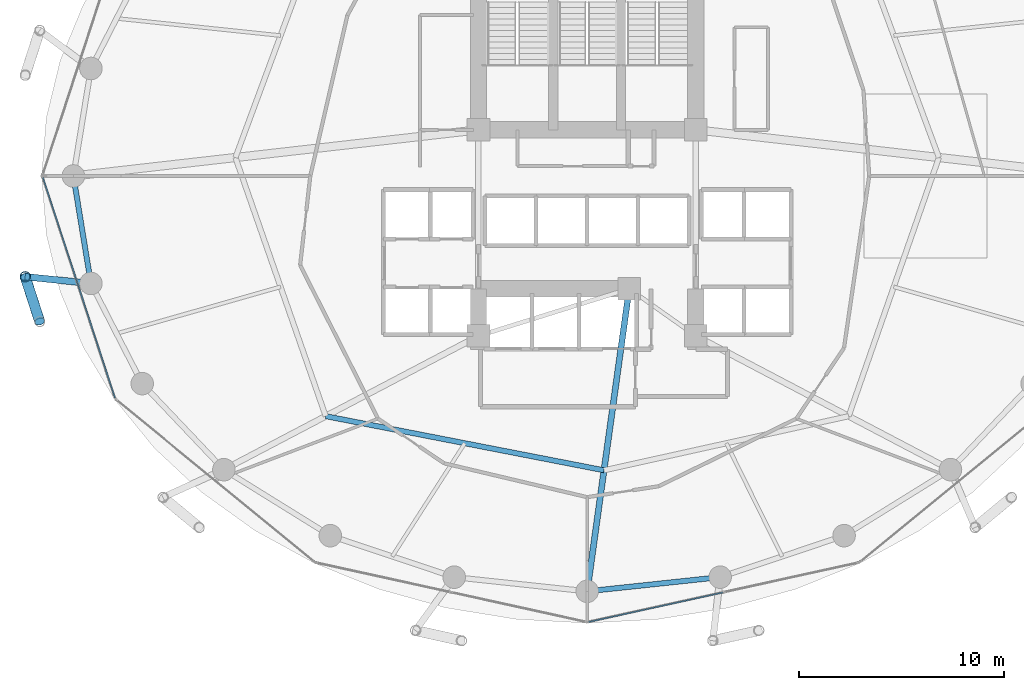
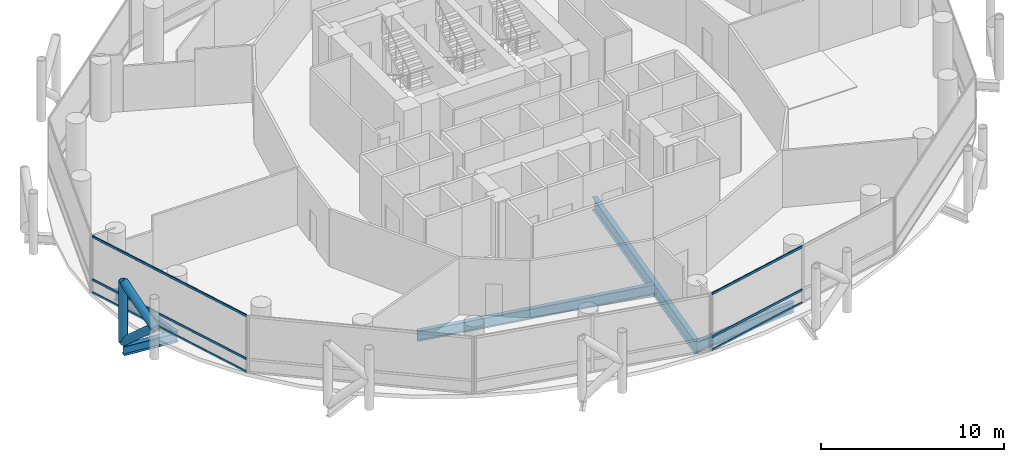
# One storey, part 5 of 26: 9 members, 5 beams, 2 elements without a shape of their own.
"""IFC4 building model written with IfcOpenShell, lengths in metres."""

from ifc_helpers import new_model, si_unit, direction, frame, origin, origin_2d, place, context, subcontext, project, spatial, hollow_rectangle, hollow_circle, i_section, extrude, material, layer, layer_set, material_profile, profile_set, type_object, element, aggregate, save


model = new_model("IFC4")

# Units and contexts
model_context = context("Model", 3, precision=1e-05, world=origin(), true_north=direction((0.0, 1.0)))
body_context = subcontext(model_context, "Body", "Model", "MODEL_VIEW")
ifc_project = project(units=[si_unit("LENGTHUNIT", "METRE"), si_unit("AREAUNIT", "SQUARE_METRE"), si_unit("VOLUMEUNIT", "CUBIC_METRE"), si_unit("PLANEANGLEUNIT", "RADIAN"), si_unit("MASSUNIT", "GRAM", prefix="KILO")], contexts=[model_context])

# Site, building, storey
site_placement = place(None, origin())
site = spatial("IfcSite", under=ifc_project, at=site_placement, CompositionType="ELEMENT")
building_placement = place(site_placement, origin())
building = spatial("IfcBuilding", under=site, at=building_placement, Name="Nuhasar Tower", CompositionType="ELEMENT")
storey_placement = place(building_placement, frame((0.0, 0.0, 53.39990234375)))
storey = spatial("IfcBuildingStorey", under=building, at=storey_placement, Name="L12", CompositionType="ELEMENT", Elevation=53.39990234375)

# Beams
ifc_material_1 = material(Name="Steel S355", Category="steel")
ifc_material_profile_1 = material_profile(ifc_material_1, i_section(OverallWidth=0.25390625, OverallDepth=0.68408203125, WebThickness=0.012451171875, FlangeThickness=0.018798828125, at=origin_2d()), Name="W27X94")
ifc_profile_set_1 = profile_set([ifc_material_profile_1], Name="Steel S355")
beam_type_1 = type_object("IfcBeamType", Name="BM-INRING-W27X94", PredefinedType="BEAM", material=ifc_profile_set_1)
beam_1_placement = place(storey_placement, frame((26.251953125, 15.089111328125, -0.601806640625), z_axis=(0.981602977761, -0.190933480695, 0.0), x_axis=(0.190933480695, 0.981602977761, 0.0)))
element("IfcBeam", 1, at=beam_1_placement, inside=storey, type_object=beam_type_1, Name="L12 Inner Header Beam 01", PredefinedType="BEAM", context=body_context, shape_type="SweptSolid", body=[
    extrude(i_section(OverallWidth=0.25390625, OverallDepth=0.68408203125, WebThickness=0.012451171875, FlangeThickness=0.018798828125, at=origin_2d()), origin(), (0.0, 0.0, 1.0), 13.822509765625),
])
ifc_material_profile_2 = material_profile(ifc_material_1, i_section(OverallWidth=0.2919921875, OverallDepth=0.85888671875, WebThickness=0.01708984375, FlangeThickness=0.031005859375, at=origin_2d()), Name="W33X169")
ifc_profile_set_2 = profile_set([ifc_material_profile_2], Name="Steel S355")
beam_type_2 = type_object("IfcBeamType", Name="BM-POD-W33X169", PredefinedType="BEAM", material=ifc_profile_set_2)
beam_2_placement = place(storey_placement, frame((41.050048828125, 21.300048828125, -0.68896484375), z_axis=(-0.137663087856, -0.990479113481, 0.0), x_axis=(0.990479113481, -0.137663087856, 0.0)))
element("IfcBeam", 2, at=beam_2_placement, inside=storey, type_object=beam_type_2, Name="L12 Radial Floor Girder 02", PredefinedType="BEAM", context=body_context, shape_type="SweptSolid", body=[
    extrude(i_section(OverallWidth=0.2919921875, OverallDepth=0.85888671875, WebThickness=0.01708984375, FlangeThickness=0.031005859375, at=origin_2d()), origin(), (0.0, 0.0, 1.0), 14.891845703125),
])
ifc_material_profile_3 = material_profile(ifc_material_1, i_section(OverallWidth=0.256103515625, OverallDepth=0.693115234375, WebThickness=0.014404296875, FlangeThickness=0.023681640625, at=origin_2d()), Name="W27X114")
ifc_profile_set_3 = profile_set([ifc_material_profile_3], Name="Steel S355")
beam_type_3 = type_object("IfcBeamType", Name="BM-RING-W27X114", PredefinedType="SPANDREL", material=ifc_profile_set_3)
beam_3_placement = place(storey_placement, frame((13.949951171875, 26.800048828125, -0.60595703125), z_axis=(0.160826635486, -0.986982671235, 0.0), x_axis=(0.986982671235, 0.160826635486, 0.0)))
element("IfcBeam", 3, at=beam_3_placement, inside=storey, type_object=beam_type_3, Name="L12 Perimeter Ring Spandrel 13", PredefinedType="SPANDREL", context=body_context, shape_type="SweptSolid", body=[
    extrude(i_section(OverallWidth=0.256103515625, OverallDepth=0.693115234375, WebThickness=0.014404296875, FlangeThickness=0.023681640625, at=origin_2d()), origin(), (0.0, 0.0, 1.0), 5.31005859375),
])
beam_4_placement = place(storey_placement, frame((39.0, 6.550048828125, -0.60595703125), z_axis=(0.994384554061, 0.105827022286, 0.0), x_axis=(-0.105827022286, 0.994384554061, 0.0)))
element("IfcBeam", 4, at=beam_4_placement, inside=storey, type_object=beam_type_3, Name="L12 Perimeter Ring Spandrel 19", PredefinedType="SPANDREL", context=body_context, shape_type="SweptSolid", body=[
    extrude(i_section(OverallWidth=0.256103515625, OverallDepth=0.693115234375, WebThickness=0.014404296875, FlangeThickness=0.023681640625, at=origin_2d()), origin(), (0.0, 0.0, 1.0), 6.51953125),
])
ifc_material_profile_4 = material_profile(ifc_material_1, i_section(OverallWidth=0.323974609375, OverallDepth=0.611083984375, WebThickness=0.0126953125, FlangeThickness=0.01904296875, at=origin_2d()), Name="W24X104")
ifc_profile_set_4 = profile_set([ifc_material_profile_4], Name="Steel S355")
beam_type_4 = type_object("IfcBeamType", Name="BM-TIE-W24X104", PredefinedType="BEAM", material=ifc_profile_set_4)
beam_5_placement = place(storey_placement, frame((14.803955078125, 21.55908203125, -0.56591796875), z_axis=(-0.994711572359, 0.102707778751, 0.0), x_axis=(-0.102707778751, -0.994711572359, 0.0)))
element("IfcBeam", 5, at=beam_5_placement, inside=storey, type_object=beam_type_4, Name="L12 Exoskeleton Node Tie Beam 07", PredefinedType="BEAM", context=body_context, shape_type="SweptSolid", body=[
    extrude(i_section(OverallWidth=0.323974609375, OverallDepth=0.611083984375, WebThickness=0.0126953125, FlangeThickness=0.01904296875, at=origin_2d()), origin(), (0.0, 0.0, 1.0), 3.220947265625),
])

# Curtain wall, members
ifc_material_2 = material(Name="Aluminium 6063-T6", Category="aluminium")
ifc_layer = layer(ifc_material_2, 0.199951171875)
ifc_layer_set = layer_set([ifc_layer], Name="Aluminium 6063-T6")
curtain_wall_type = type_object("IfcCurtainWallType", Name="CW-Z1-OFF", PredefinedType="NOTDEFINED", material=ifc_layer_set)
curtain_wall_1_placement = place(storey_placement, origin())
curtain_wall_1 = element("IfcCurtainWall", 6, at=curtain_wall_1_placement, inside=storey, type_object=curtain_wall_type, Name="L12 Unitised Curtain Wall 07", PredefinedType="NOTDEFINED")
ifc_material_profile_5 = material_profile(ifc_material_2, hollow_rectangle(XDim=0.06494140625, YDim=0.14990234375, WallThickness=0.00439453125, at=origin_2d()), Name="CWT-2")
ifc_profile_set_5 = profile_set([ifc_material_profile_5], Name="Aluminium 6063-T6")
member_type_1 = type_object("IfcMemberType", Name="CW-TRN-S2", PredefinedType="USERDEFINED", material=ifc_profile_set_5)
member_1_placement = place(storey_placement, frame((12.460205078125, 26.73828125, 0.03271484375), z_axis=(0.310818687697, -0.950469222741, 0.0), x_axis=(0.950469222741, 0.310818687697, 0.0)))
member_1 = element("IfcMember", 7, at=member_1_placement, type_object=member_type_1, Name="CW-Z1 transom 1.1", ObjectType="TRANSOM", PredefinedType="USERDEFINED", context=body_context, shape_type="SweptSolid", body=[
    extrude(hollow_rectangle(XDim=0.06494140625, YDim=0.14990234375, WallThickness=0.00439453125, at=origin_2d()), origin(), (0.0, 0.0, 1.0), 11.317138671875),
])
member_2_placement = place(storey_placement, frame((12.460205078125, 26.73828125, 0.900146484375), z_axis=(0.310818687697, -0.950469222741, 0.0), x_axis=(0.950469222741, 0.310818687697, 0.0)))
member_2 = element("IfcMember", 8, at=member_2_placement, type_object=member_type_1, Name="CW-Z1 transom 1.2", ObjectType="TRANSOM", PredefinedType="USERDEFINED", context=body_context, shape_type="SweptSolid", body=[
    extrude(hollow_rectangle(XDim=0.06494140625, YDim=0.14990234375, WallThickness=0.00439453125, at=origin_2d()), origin(), (0.0, 0.0, 1.0), 11.317138671875),
])
member_3_placement = place(storey_placement, frame((12.460205078125, 26.73828125, 3.767578125), z_axis=(0.310818687697, -0.950469222741, 0.0), x_axis=(0.950469222741, 0.310818687697, 0.0)))
member_3 = element("IfcMember", 9, at=member_3_placement, type_object=member_type_1, Name="CW-Z1 transom 1.3", ObjectType="TRANSOM", PredefinedType="USERDEFINED", context=body_context, shape_type="SweptSolid", body=[
    extrude(hollow_rectangle(XDim=0.06494140625, YDim=0.14990234375, WallThickness=0.00439453125, at=origin_2d()), origin(), (0.0, 0.0, 1.0), 11.317138671875),
])
aggregate(curtain_wall_1, [member_1, member_2, member_3])

curtain_wall_2_placement = place(storey_placement, origin())
curtain_wall_2 = element("IfcCurtainWall", 10, at=curtain_wall_2_placement, inside=storey, type_object=curtain_wall_type, Name="L12 Unitised Curtain Wall 10", PredefinedType="NOTDEFINED")
member_4_placement = place(storey_placement, frame((39.0634765625, 5.053955078125, 0.03271484375), z_axis=(0.976747879138, 0.214391185916, 0.0), x_axis=(-0.214391185916, 0.976747879138, 0.0)))
member_4 = element("IfcMember", 11, at=member_4_placement, type_object=member_type_1, Name="CW-Z1 transom 1.1", ObjectType="TRANSOM", PredefinedType="USERDEFINED", context=body_context, shape_type="SweptSolid", body=[
    extrude(hollow_rectangle(XDim=0.06494140625, YDim=0.14990234375, WallThickness=0.00439453125, at=origin_2d()), origin(), (0.0, 0.0, 1.0), 6.700439453125),
])
member_5_placement = place(storey_placement, frame((39.0634765625, 5.053955078125, 0.900146484375), z_axis=(0.976747879138, 0.214391185916, 0.0), x_axis=(-0.214391185916, 0.976747879138, 0.0)))
member_5 = element("IfcMember", 12, at=member_5_placement, type_object=member_type_1, Name="CW-Z1 transom 1.2", ObjectType="TRANSOM", PredefinedType="USERDEFINED", context=body_context, shape_type="SweptSolid", body=[
    extrude(hollow_rectangle(XDim=0.06494140625, YDim=0.14990234375, WallThickness=0.00439453125, at=origin_2d()), origin(), (0.0, 0.0, 1.0), 6.700439453125),
])
member_6_placement = place(storey_placement, frame((39.0634765625, 5.053955078125, 3.767578125), z_axis=(0.976747879138, 0.214391185916, 0.0), x_axis=(-0.214391185916, 0.976747879138, 0.0)))
member_6 = element("IfcMember", 13, at=member_6_placement, type_object=member_type_1, Name="CW-Z1 transom 1.3", ObjectType="TRANSOM", PredefinedType="USERDEFINED", context=body_context, shape_type="SweptSolid", body=[
    extrude(hollow_rectangle(XDim=0.06494140625, YDim=0.14990234375, WallThickness=0.00439453125, at=origin_2d()), origin(), (0.0, 0.0, 1.0), 6.700439453125),
])
aggregate(curtain_wall_2, [member_4, member_5, member_6])

# Members
ifc_material_3 = material(Name="Steel S460", Category="steel")
ifc_material_profile_6 = material_profile(ifc_material_3, hollow_circle(Radius=0.25390625, WallThickness=0.025390625, at=origin_2d()), Name="HSS508X25.4")
ifc_profile_set_6 = profile_set([ifc_material_profile_6], Name="Steel S460")
member_type_2 = type_object("IfcMemberType", Name="EXO-BRONZE-508", PredefinedType="BRACE", material=ifc_profile_set_6)
member_7_placement = place(storey_placement, frame((11.60009765625, 21.889892578125, 0.0), z_axis=(0.0, 0.0, 1.0), x_axis=(1.0, 0.0, 0.0)))
element("IfcMember", 14, at=member_7_placement, inside=storey, type_object=member_type_2, Name="L12 Exoskeleton Chord Column EC-07A", PredefinedType="BRACE", context=body_context, shape_type="SweptSolid", body=[
    extrude(hollow_circle(Radius=0.25390625, WallThickness=0.025390625, at=origin_2d()), origin(), (0.0, 0.0, 1.0), 4.050048828125),
])
member_8_placement = place(storey_placement, frame((11.60009765625, 21.889892578125, 0.0), z_axis=(0.230999678299, -0.714187281251, 0.660738734997), x_axis=(0.951468282519, 0.307746823478, 0.0)))
element("IfcMember", 15, at=member_8_placement, inside=storey, type_object=member_type_2, Name="L12 Bronze Diagrid Brace W1-07", PredefinedType="BRACE", context=body_context, shape_type="SweptSolid", body=[
    extrude(hollow_circle(Radius=0.25390625, WallThickness=0.025390625, at=origin_2d()), origin(), (0.0, 0.0, 1.0), 3.06494140625),
])
member_9_placement = place(storey_placement, frame((12.30810546875, 19.700927734375, 2.025146484375), z_axis=(-0.231011836313, 0.714224870475, 0.660693851854), x_axis=(-0.951468282519, -0.307746823478, 0.0)))
element("IfcMember", 16, at=member_9_placement, inside=storey, type_object=member_type_2, Name="L12 Bronze Diagrid Brace W2-07", PredefinedType="BRACE", context=body_context, shape_type="SweptSolid", body=[
    extrude(hollow_circle(Radius=0.25390625, WallThickness=0.025390625, at=origin_2d()), origin(), (0.0, 0.0, 1.0), 3.064697265625),
])

save(model, "model.ifc")
